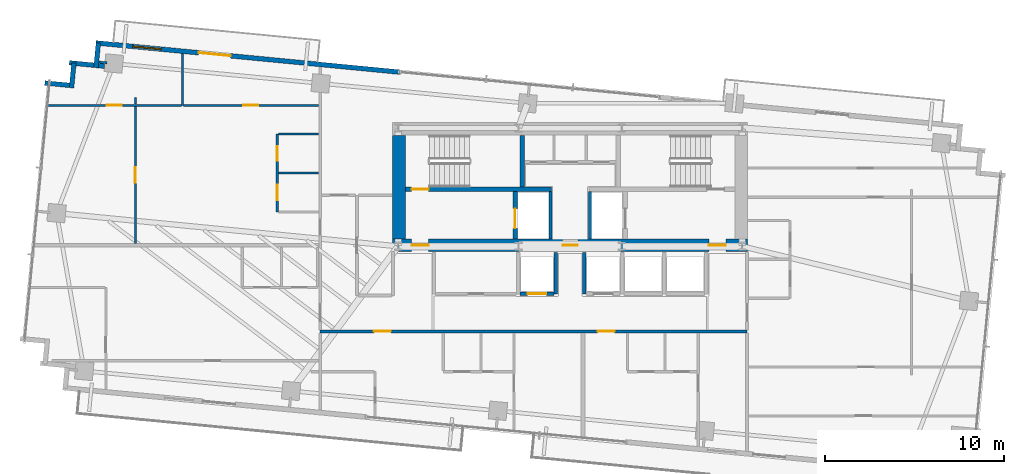
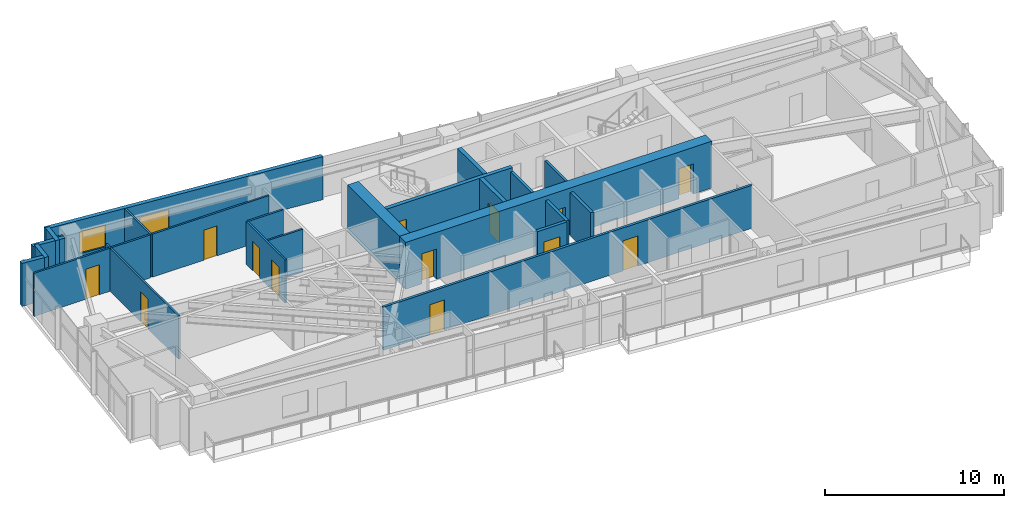
# One storey, part 16 of 20: 25 walls, 14 doors, 1 window, 15 openings.
"""IFC4 building model written with IfcOpenShell, lengths in metres."""

from ifc_helpers import new_model, si_unit, direction, frame, frame_2d, origin, place, context, subcontext, project, spatial, rectangle, extrude, source, transform, mapped, material, layer, layer_set, type_object, type_shapes, element, fill, save


model = new_model("IFC4")

# Units and contexts
model_context = context("Model", 3, precision=1e-05, world=origin(), true_north=direction((0.0, 1.0)))
body_context = subcontext(model_context, "Body", "Model", "MODEL_VIEW")
ifc_project = project(units=[si_unit("LENGTHUNIT", "METRE"), si_unit("AREAUNIT", "SQUARE_METRE"), si_unit("VOLUMEUNIT", "CUBIC_METRE"), si_unit("PLANEANGLEUNIT", "RADIAN"), si_unit("MASSUNIT", "GRAM", prefix="KILO")], contexts=[model_context])

# Site, building, storey
site_placement = place(None, origin())
site = spatial("IfcSite", under=ifc_project, at=site_placement, CompositionType="ELEMENT")
building_placement = place(site_placement, origin())
building = spatial("IfcBuilding", under=site, at=building_placement, Name="Astriad Promenade Condominiums", CompositionType="ELEMENT")
storey_placement = place(building_placement, frame((0.0, 0.0, 137.39990234375)))
storey = spatial("IfcBuildingStorey", under=building, at=storey_placement, Name="L39", CompositionType="ELEMENT", Elevation=137.39990234375)

# Wall, openings, doors
ifc_material_1 = material(Name="Concrete C60/75", Category="concrete")
ifc_layer_1 = layer(ifc_material_1, 0.699951171875)
ifc_layer_set_1 = layer_set([ifc_layer_1], Name="Concrete C60/75")
wall_type_1 = type_object("IfcWallType", Name="CW-SHEAR-700", PredefinedType="SHEAR", material=ifc_layer_set_1)
wall_1_placement = place(storey_placement, frame((26.10009765625, 17.449951171875, 0.0), z_axis=(0.0, 0.0, 1.0), x_axis=(1.0, 0.0, 0.0)))
wall_1 = element("IfcWall", 1, at=wall_1_placement, inside=storey, type_object=wall_type_1, Name="CW-CORE-S-L39", PredefinedType="SHEAR", context=body_context, shape_type="SweptSolid", body=[
    extrude(rectangle(XDim=19.7998046875, YDim=0.699951171875, at=frame_2d((9.89990234375, 0.0))), origin(), (0.0, 0.0, 1.0), 3.2001953125),
])
opening_1_placement = place(wall_1_placement, frame((1.050048828125, 0.0, 0.0)))
opening_1 = element("IfcOpeningElement", 2, at=opening_1_placement, cuts=wall_1, Name="Opening FD90-ST-095", PredefinedType="OPENING", context=body_context, shape_type="SweptSolid", body=[
    extrude(rectangle(XDim=0.949951171875, YDim=2.06005859375, at=frame_2d((0.47509765625, 1.030029296875))), frame((0.0, 0.35986328125, 0.0), z_axis=(0.0, -1.0, 0.0), x_axis=(1.0, 0.0, 0.0)), (0.0, 0.0, 1.0), 0.719970703125),
])
opening_2_placement = place(wall_1_placement, frame((9.47998046875, 0.0, 0.0)))
opening_2 = element("IfcOpeningElement", 3, at=opening_2_placement, cuts=wall_1, Name="Opening FD60-ULOW-085", PredefinedType="OPENING", context=body_context, shape_type="SweptSolid", body=[
    extrude(rectangle(XDim=0.85009765625, YDim=2.0, at=frame_2d((0.425048828125, 1.0))), frame((0.0, 0.35986328125, 0.0), z_axis=(0.0, -1.0, 0.0), x_axis=(1.0, 0.0, 0.0)), (0.0, 0.0, 1.0), 0.719970703125),
])
opening_3_placement = place(wall_1_placement, frame((17.64990234375, 0.0, 0.0)))
opening_3 = element("IfcOpeningElement", 4, at=opening_3_placement, cuts=wall_1, Name="Opening FD90-ST-095", PredefinedType="OPENING", context=body_context, shape_type="SweptSolid", body=[
    extrude(rectangle(XDim=0.949951171875, YDim=2.06005859375, at=frame_2d((0.47509765625, 1.030029296875))), frame((0.0, 0.35986328125, 0.0), z_axis=(0.0, -1.0, 0.0), x_axis=(1.0, 0.0, 0.0)), (0.0, 0.0, 1.0), 0.719970703125),
])
ifc_material_2 = material(Name="Fire-Rated Hollow Metal Stair Door")
door_type_1 = type_object("IfcDoorType", Name="FD90-ST-095", OperationType="NOTDEFINED", PredefinedType="DOOR", material=ifc_material_2)
shared_shape_1 = source(origin(), body_context, "Body", "SweptSolid", [
    extrude(rectangle(XDim=0.949951171875, YDim=2.06005859375, at=frame_2d((0.47509765625, 1.030029296875))), frame((0.0, 0.02490234375, 0.0), z_axis=(0.0, -1.0, 0.0), x_axis=(1.0, 0.0, 0.0)), (0.0, 0.0, 1.0), 0.050048828125),
])
type_shapes(door_type_1, [shared_shape_1])
door_1_placement = place(opening_1_placement, origin())
door_1 = element("IfcDoor", 5, at=door_1_placement, inside=storey, type_object=door_type_1, Name="D-FFW-L39", OperationType="SINGLE_SWING_LEFT", OverallHeight=2.06005859375, OverallWidth=0.949951171875, PredefinedType="DOOR", context=body_context, shape_type="MappedRepresentation", body=[
    mapped(shared_shape_1, transform((0.0, 0.0, 0.0), scale=1.0)),
])
fill(opening_1, door_1)
door_2_placement = place(opening_3_placement, origin())
door_2 = element("IfcDoor", 6, at=door_2_placement, inside=storey, type_object=door_type_1, Name="D-FFE-L39", OperationType="SINGLE_SWING_RIGHT", OverallHeight=2.06005859375, OverallWidth=0.949951171875, PredefinedType="DOOR", context=body_context, shape_type="MappedRepresentation", body=[
    mapped(shared_shape_1, transform((0.0, 0.0, 0.0), scale=1.0)),
])
fill(opening_3, door_2)
ifc_material_3 = material(Name="Solid-Core Low-Headroom Fire Door")
door_type_2 = type_object("IfcDoorType", Name="FD60-ULOW-085", OperationType="NOTDEFINED", PredefinedType="DOOR", material=ifc_material_3)
shared_shape_2 = source(origin(), body_context, "Body", "SweptSolid", [
    extrude(rectangle(XDim=0.85009765625, YDim=2.0, at=frame_2d((0.425048828125, 1.0))), frame((0.0, 0.02490234375, 0.0), z_axis=(0.0, -1.0, 0.0), x_axis=(1.0, 0.0, 0.0)), (0.0, 0.0, 1.0), 0.050048828125),
])
type_shapes(door_type_2, [shared_shape_2])
door_3_placement = place(opening_2_placement, origin())
door_3 = element("IfcDoor", 7, at=door_3_placement, inside=storey, type_object=door_type_2, Name="D-CSL-L39", OperationType="SINGLE_SWING_RIGHT", OverallHeight=2.0, OverallWidth=0.85009765625, PredefinedType="DOOR", context=body_context, shape_type="MappedRepresentation", body=[
    mapped(shared_shape_2, transform((0.0, 0.0, 0.0), scale=1.0)),
])
fill(opening_2, door_3)

# Wall
wall_2_placement = place(storey_placement, frame((26.449951171875, 17.802001953125, 0.0), z_axis=(0.0, 0.0, 1.0), x_axis=(0.0, 1.0, 0.0)))
element("IfcWall", 8, at=wall_2_placement, inside=storey, type_object=wall_type_1, Name="CW-CORE-W-L39", PredefinedType="SHEAR", context=body_context, shape_type="SweptSolid", body=[
    extrude(rectangle(XDim=5.7958984375, YDim=0.699951171875, at=frame_2d((2.89794921875, 0.0))), origin(), (0.0, 0.0, 1.0), 3.2001953125),
])

# Wall, opening, door
ifc_material_4 = material(Name="Concrete C50/60", Category="concrete")
ifc_layer_2 = layer(ifc_material_4, 0.25)
ifc_layer_set_2 = layer_set([ifc_layer_2], Name="Concrete C50/60")
wall_type_2 = type_object("IfcWallType", Name="WALL-CORE-INT-250", PredefinedType="SOLIDWALL", material=ifc_layer_set_2)
wall_3_placement = place(storey_placement, frame((26.802001953125, 20.574951171875, 0.0), z_axis=(0.0, 0.0, 1.0), x_axis=(1.0, 0.0, 0.0)))
wall_3 = element("IfcWall", 9, at=wall_3_placement, inside=storey, type_object=wall_type_2, Name="CW-INT-H1-L39", PredefinedType="SOLIDWALL", context=body_context, shape_type="SweptSolid", body=[
    extrude(rectangle(XDim=8.14794921875, YDim=0.25, at=frame_2d((4.073974609375, 0.0))), origin(), (0.0, 0.0, 1.0), 3.2001953125),
])
opening_4_placement = place(wall_3_placement, frame((0.347900390625, 0.0, 0.0)))
opening_4 = element("IfcOpeningElement", 10, at=opening_4_placement, cuts=wall_3, Name="Opening FD90-ST-095", PredefinedType="OPENING", context=body_context, shape_type="SweptSolid", body=[
    extrude(rectangle(XDim=0.949951171875, YDim=2.06005859375, at=frame_2d((0.47509765625, 1.030029296875))), frame((0.0, 0.135009765625, 0.0), z_axis=(0.0, -1.0, 0.0), x_axis=(1.0, 0.0, 0.0)), (0.0, 0.0, 1.0), 0.27001953125),
])
door_4_placement = place(opening_4_placement, origin())
door_4 = element("IfcDoor", 11, at=door_4_placement, inside=storey, type_object=door_type_1, Name="D-ST1-L39", OperationType="SINGLE_SWING_RIGHT", OverallHeight=2.06005859375, OverallWidth=0.949951171875, PredefinedType="DOOR", context=body_context, shape_type="MappedRepresentation", body=[
    mapped(shared_shape_1, transform((0.0, 0.0, 0.0), scale=1.0)),
])
fill(opening_4, door_4)

# Wall
wall_4_placement = place(storey_placement, frame((33.324951171875, 20.701904296875, 0.0), z_axis=(0.0, 0.0, 1.0), x_axis=(0.0, 1.0, 0.0)))
element("IfcWall", 12, at=wall_4_placement, inside=storey, type_object=wall_type_2, Name="CW-ST1-E-L39", PredefinedType="SOLIDWALL", context=body_context, shape_type="SweptSolid", body=[
    extrude(rectangle(XDim=2.89599609375, YDim=0.25, at=frame_2d((1.447998046875, 0.0))), origin(), (0.0, 0.0, 1.0), 3.2001953125),
])

# Wall, opening, door
wall_5_placement = place(storey_placement, frame((32.925048828125, 17.802001953125, 0.0), z_axis=(0.0, 0.0, 1.0), x_axis=(0.0, 1.0, 0.0)))
wall_5 = element("IfcWall", 13, at=wall_5_placement, inside=storey, type_object=wall_type_2, Name="CW-FFL1-W-L39", PredefinedType="SOLIDWALL", context=body_context, shape_type="SweptSolid", body=[
    extrude(rectangle(XDim=2.64599609375, YDim=0.25, at=frame_2d((1.322998046875, 0.0))), origin(), (0.0, 0.0, 1.0), 3.2001953125),
])
opening_5_placement = place(wall_5_placement, frame((0.597900390625, 0.0, 0.0)))
opening_5 = element("IfcOpeningElement", 14, at=opening_5_placement, cuts=wall_5, Name="Opening LD-FFL-1122", PredefinedType="OPENING", context=body_context, shape_type="SweptSolid", body=[
    extrude(rectangle(XDim=1.10009765625, YDim=2.080078125, at=frame_2d((0.550048828125, 1.0400390625))), frame((0.0, 0.135009765625, 0.0), z_axis=(0.0, -1.0, 0.0), x_axis=(1.0, 0.0, 0.0)), (0.0, 0.0, 1.0), 0.27001953125),
])
ifc_material_5 = material(Name="Brushed Stainless Steel Fire Elevator Landing Door", Category="steel")
door_type_3 = type_object("IfcDoorType", Name="LD-FFL-1122", OperationType="NOTDEFINED", PredefinedType="DOOR", material=ifc_material_5)
shared_shape_3 = source(origin(), body_context, "Body", "SweptSolid", [
    extrude(rectangle(XDim=1.10009765625, YDim=2.080078125, at=frame_2d((0.550048828125, 1.0400390625))), frame((0.0, 0.02490234375, 0.0), z_axis=(0.0, -1.0, 0.0), x_axis=(1.0, 0.0, 0.0)), (0.0, 0.0, 1.0), 0.050048828125),
])
type_shapes(door_type_3, [shared_shape_3])
door_5_placement = place(opening_5_placement, origin())
door_5 = element("IfcDoor", 15, at=door_5_placement, inside=storey, type_object=door_type_3, Name="Elevator Landing Door FFL-1 (L39)", OperationType="SLIDING_TO_LEFT", OverallHeight=2.080078125, OverallWidth=1.10009765625, PredefinedType="DOOR", context=body_context, shape_type="MappedRepresentation", body=[
    mapped(shared_shape_3, transform((0.0, 0.0, 0.0), scale=1.0)),
])
fill(opening_5, door_5)

# Walls
ifc_material_6 = material(Name="Fire-Rated Gypsum Partition")
ifc_layer_3 = layer(ifc_material_6, 0.159912109375)
ifc_layer_set_3 = layer_set([ifc_layer_3], Name="Fire-Rated Gypsum Partition")
wall_type_3 = type_object("IfcWallType", Name="WALL-CORR-160", PredefinedType="PARTITIONING", material=ifc_layer_set_3)
for number, where, z_axis, x_axis, name in (
    (16, (34.89990234375, 17.802001953125, 0.0), (0.0, 0.0, 1.0), (0.0, 1.0, 0.0), "CW-FFL1-E-L39"),
    (17, (37.10009765625, 17.802001953125, 0.0), (0.0, 0.0, 1.0), (0.0, 1.0, 0.0), "CW-FFL2-W-L39"),
):
    element("IfcWall", number, at=place(storey_placement, frame(where, z_axis=z_axis, x_axis=x_axis)), inside=storey, type_object=wall_type_3, Name=name, PredefinedType="PARTITIONING", context=body_context, shape_type="SweptSolid", body=[
        extrude(rectangle(XDim=2.64599609375, YDim=0.159912109375, at=frame_2d((1.322998046875, 0.0))), origin(), (0.0, 0.0, 1.0), 2.940185546875),
    ])

# Wall, openings, doors
wall_6_placement = place(storey_placement, frame((22.050048828125, 12.64990234375, 0.0), z_axis=(0.0, 0.0, 1.0), x_axis=(1.0, 0.0, 0.0)))
wall_6 = element("IfcWall", 18, at=wall_6_placement, inside=storey, type_object=wall_type_3, Name="PT-COR-S-L39", PredefinedType="PARTITIONING", context=body_context, shape_type="SweptSolid", body=[
    extrude(rectangle(XDim=23.829833984375, YDim=0.159912109375, at=frame_2d((11.9150390625, 0.0))), origin(), (0.0, 0.0, 1.0), 2.940185546875),
])
opening_6_placement = place(wall_6_placement, frame((3.0, 0.0, 0.0)))
opening_6 = element("IfcOpeningElement", 19, at=opening_6_placement, cuts=wall_6, Name="Opening FD60-APT-095", PredefinedType="OPENING", context=body_context, shape_type="SweptSolid", body=[
    extrude(rectangle(XDim=0.949951171875, YDim=2.06005859375, at=frame_2d((0.47509765625, 1.030029296875))), frame((0.0, 0.08984375, 0.0), z_axis=(0.0, -1.0, 0.0), x_axis=(1.0, 0.0, 0.0)), (0.0, 0.0, 1.0), 0.179931640625),
])
opening_7_placement = place(wall_6_placement, frame((15.485107421875, 0.0, 0.0)))
opening_7 = element("IfcOpeningElement", 20, at=opening_7_placement, cuts=wall_6, Name="Opening FD60-APT-095", PredefinedType="OPENING", context=body_context, shape_type="SweptSolid", body=[
    extrude(rectangle(XDim=0.949951171875, YDim=2.06005859375, at=frame_2d((0.47509765625, 1.030029296875))), frame((0.0, 0.08984375, 0.0), z_axis=(0.0, -1.0, 0.0), x_axis=(1.0, 0.0, 0.0)), (0.0, 0.0, 1.0), 0.179931640625),
])
ifc_material_7 = material(Name="Solid-Core Acoustic Timber Residence Entry Door", Category="wood")
door_type_4 = type_object("IfcDoorType", Name="FD60-APT-095", OperationType="NOTDEFINED", PredefinedType="DOOR", material=ifc_material_7)
shared_shape_4 = source(origin(), body_context, "Body", "SweptSolid", [
    extrude(rectangle(XDim=0.949951171875, YDim=2.06005859375, at=frame_2d((0.47509765625, 1.030029296875))), frame((0.0, 0.02490234375, 0.0), z_axis=(0.0, -1.0, 0.0), x_axis=(1.0, 0.0, 0.0)), (0.0, 0.0, 1.0), 0.050048828125),
])
type_shapes(door_type_4, [shared_shape_4])
door_6_placement = place(opening_6_placement, origin())
door_6 = element("IfcDoor", 21, at=door_6_placement, inside=storey, type_object=door_type_4, Name="D-ENT-L39-S1", OperationType="SINGLE_SWING_LEFT", OverallHeight=2.06005859375, OverallWidth=0.949951171875, PredefinedType="DOOR", context=body_context, shape_type="MappedRepresentation", body=[
    mapped(shared_shape_4, transform((0.0, 0.0, 0.0), scale=1.0)),
])
fill(opening_6, door_6)
door_7_placement = place(opening_7_placement, origin())
door_7 = element("IfcDoor", 22, at=door_7_placement, inside=storey, type_object=door_type_4, Name="D-ENT-L39-S2", OperationType="SINGLE_SWING_LEFT", OverallHeight=2.06005859375, OverallWidth=0.949951171875, PredefinedType="DOOR", context=body_context, shape_type="MappedRepresentation", body=[
    mapped(shared_shape_4, transform((0.0, 0.0, 0.0), scale=1.0)),
])
fill(opening_7, door_7)

# Walls
ifc_material_8 = material(Name="Precast concrete C50/60", Category="concrete")
ifc_layer_4 = layer(ifc_material_8, 0.260009765625)
ifc_layer_set_4 = layer_set([ifc_layer_4], Name="Precast concrete C50/60")
wall_type_4 = type_object("IfcWallType", Name="WALL-EXT-TWR-260", PredefinedType="STANDARD", material=ifc_layer_set_4)
wall_7_placement = place(storey_placement, frame((6.68115234375, 26.518310546875, 0.0), z_axis=(0.0, 0.0, 1.0), x_axis=(0.995389446633, -0.095915846097, 0.0)))
element("IfcWall", 23, at=wall_7_placement, inside=storey, type_object=wall_type_4, Name="W-SER-L39-04", PredefinedType="STANDARD", context=body_context, shape_type="SweptSolid", body=[
    extrude(rectangle(XDim=1.394775390625, YDim=0.260009765625, at=frame_2d((0.697265625, 0.0))), origin(), (0.0, 0.0, 1.0), 2.940185546875),
])
wall_8_placement = place(storey_placement, frame((8.171875, 26.243896484375, 0.0), z_axis=(0.0, 0.0, 1.0), x_axis=(0.095725744959, 0.99540774648, 0.0)))
element("IfcWall", 24, at=wall_8_placement, inside=storey, type_object=wall_type_4, Name="W-SER-L39-05", PredefinedType="STANDARD", context=body_context, shape_type="SweptSolid", body=[
    extrude(rectangle(XDim=1.39501953125, YDim=0.260009765625, at=frame_2d((0.697509765625, 0.0))), origin(), (0.0, 0.0, 1.0), 2.940185546875),
])
wall_9_placement = place(storey_placement, frame((8.045166015625, 27.642578125, 0.0), z_axis=(0.0, 0.0, 1.0), x_axis=(0.995391147587, -0.095898192396, 0.0)))
element("IfcWall", 25, at=wall_9_placement, inside=storey, type_object=wall_type_4, Name="W-SER-L39-06", PredefinedType="STANDARD", context=body_context, shape_type="SweptSolid", body=[
    extrude(rectangle(XDim=1.97802734375, YDim=0.260009765625, at=frame_2d((0.989013671875, 0.0))), origin(), (0.0, 0.0, 1.0), 2.940185546875),
])
wall_10_placement = place(storey_placement, frame((9.535888671875, 27.368408203125, 0.0), z_axis=(0.0, 0.0, 1.0), x_axis=(0.095915846097, 0.995389446633, 0.0)))
element("IfcWall", 26, at=wall_10_placement, inside=storey, type_object=wall_type_4, Name="W-SER-L39-07", PredefinedType="STANDARD", context=body_context, shape_type="SweptSolid", body=[
    extrude(rectangle(XDim=1.394775390625, YDim=0.260009765625, at=frame_2d((0.697265625, 0.0))), origin(), (0.0, 0.0, 1.0), 2.940185546875),
])

# Wall, openings, door, window
wall_11_placement = place(storey_placement, frame((9.538818359375, 28.75439453125, 0.0), z_axis=(0.0, 0.0, 1.0), x_axis=(0.995397345886, -0.09583383433, 0.0)))
wall_11 = element("IfcWall", 27, at=wall_11_placement, inside=storey, type_object=wall_type_4, Name="W-EXT-L39-N1", PredefinedType="STANDARD", context=body_context, shape_type="SweptSolid", body=[
    extrude(rectangle(XDim=17.010009765625, YDim=0.260009765625, at=frame_2d((8.5048828125, 0.0))), origin(), (0.0, 0.0, 1.0), 2.940185546875),
])
opening_8_placement = place(wall_11_placement, frame((5.759033203125, 0.0, 0.0)))
opening_8 = element("IfcOpeningElement", 28, at=opening_8_placement, cuts=wall_11, Name="Opening BD-1822-SLD", PredefinedType="OPENING", context=body_context, shape_type="SweptSolid", body=[
    extrude(rectangle(XDim=1.800048828125, YDim=2.06005859375, at=frame_2d((0.89990234375, 1.030029296875))), frame((0.0, 0.139892578125, 0.0), z_axis=(0.0, -1.0, 0.0), x_axis=(1.0, 0.0, 0.0)), (0.0, 0.0, 1.0), 0.280029296875),
])
opening_9_placement = place(wall_11_placement, frame((2.050048828125, 0.0, 0.64990234375)))
opening_9 = element("IfcOpeningElement", 29, at=opening_9_placement, cuts=wall_11, Name="Opening WIN-TWR-1620", PredefinedType="OPENING", context=body_context, shape_type="SweptSolid", body=[
    extrude(rectangle(XDim=1.60009765625, YDim=1.5, at=frame_2d((0.800048828125, 0.75))), frame((0.0, 0.139892578125, 0.0), z_axis=(0.0, -1.0, 0.0), x_axis=(1.0, 0.0, 0.0)), (0.0, 0.0, 1.0), 0.280029296875),
])
ifc_material_9 = material(Name="Thermally Broken Aluminium Sliding Balcony Door", Category="aluminium")
door_type_5 = type_object("IfcDoorType", Name="BD-1822-SLD", OperationType="NOTDEFINED", PredefinedType="DOOR", material=ifc_material_9)
shared_shape_5 = source(origin(), body_context, "Body", "SweptSolid", [
    extrude(rectangle(XDim=1.800048828125, YDim=2.06005859375, at=frame_2d((0.89990234375, 1.030029296875))), frame((0.0, 0.02490234375, 0.0), z_axis=(0.0, -1.0, 0.0), x_axis=(1.0, 0.0, 0.0)), (0.0, 0.0, 1.0), 0.050048828125),
])
type_shapes(door_type_5, [shared_shape_5])
door_8_placement = place(opening_8_placement, origin())
door_8 = element("IfcDoor", 30, at=door_8_placement, inside=storey, type_object=door_type_5, Name="BD-L39-NW", OperationType="SLIDING_TO_LEFT", OverallHeight=2.06005859375, OverallWidth=1.800048828125, PredefinedType="DOOR", context=body_context, shape_type="MappedRepresentation", body=[
    mapped(shared_shape_5, transform((0.0, 0.0, 0.0), scale=1.0)),
])
fill(opening_8, door_8)
ifc_material_10 = material(Name="Dark Tinted Triple-Glazed Aluminium Window", Category="aluminium")
window_type = type_object("IfcWindowType", Name="WIN-TWR-1620", PartitioningType="SINGLE_PANEL", PredefinedType="WINDOW", material=ifc_material_10)
shared_shape_6 = source(origin(), body_context, "Body", "SweptSolid", [
    extrude(rectangle(XDim=1.60009765625, YDim=1.5, at=frame_2d((0.800048828125, 0.75))), frame((0.0, 0.030029296875, 0.0), z_axis=(0.0, -1.0, 0.0), x_axis=(1.0, 0.0, 0.0)), (0.0, 0.0, 1.0), 0.06005859375),
])
type_shapes(window_type, [shared_shape_6])
window_placement = place(opening_9_placement, origin())
window = element("IfcWindow", 31, at=window_placement, inside=storey, type_object=window_type, Name="WIN-L39-NW", OverallHeight=1.5, OverallWidth=1.60009765625, PartitioningType="SINGLE_PANEL", PredefinedType="WINDOW", context=body_context, shape_type="MappedRepresentation", body=[
    mapped(shared_shape_6, transform((0.0, 0.0, 0.0), scale=1.0)),
])
fill(opening_9, window)

# Wall, openings, doors
ifc_material_11 = material(Name="Acoustic Metal-Stud Gypsum Partition")
ifc_layer_5 = layer(ifc_material_11, 0.1201171875)
ifc_layer_set_5 = layer_set([ifc_layer_5], Name="Acoustic Metal-Stud Gypsum Partition")
wall_type_5 = type_object("IfcWallType", Name="WALL-PART-120", PredefinedType="PARTITIONING", material=ifc_layer_set_5)
wall_12_placement = place(storey_placement, frame((19.64990234375, 19.320068359375, 0.0), z_axis=(0.0, 0.0, 1.0), x_axis=(0.0, 1.0, 0.0)))
wall_12 = element("IfcWall", 32, at=wall_12_placement, inside=storey, type_object=wall_type_5, Name="PT-L39-W2-PV", PredefinedType="PARTITIONING", context=body_context, shape_type="SweptSolid", body=[
    extrude(rectangle(XDim=4.349853515625, YDim=0.1201171875, at=frame_2d((2.1748046875, 0.0))), origin(), (0.0, 0.0, 1.0), 2.940185546875),
])
opening_10_placement = place(wall_12_placement, frame((0.662109375, 0.0, 0.0)))
opening_10 = element("IfcOpeningElement", 33, at=opening_10_placement, cuts=wall_12, Name="Opening D-INT-085", PredefinedType="OPENING", context=body_context, shape_type="SweptSolid", body=[
    extrude(rectangle(XDim=0.85009765625, YDim=2.050048828125, at=frame_2d((0.425048828125, 1.02490234375))), frame((0.0, 0.070068359375, 0.0), z_axis=(0.0, -1.0, 0.0), x_axis=(1.0, 0.0, 0.0)), (0.0, 0.0, 1.0), 0.14013671875),
])
opening_11_placement = place(wall_12_placement, frame((2.863037109375, 0.0, 0.0)))
opening_11 = element("IfcOpeningElement", 34, at=opening_11_placement, cuts=wall_12, Name="Opening D-WET-080", PredefinedType="OPENING", context=body_context, shape_type="SweptSolid", body=[
    extrude(rectangle(XDim=0.800048828125, YDim=2.02001953125, at=frame_2d((0.39990234375, 1.010009765625))), frame((0.0, 0.070068359375, 0.0), z_axis=(0.0, -1.0, 0.0), x_axis=(1.0, 0.0, 0.0)), (0.0, 0.0, 1.0), 0.14013671875),
])
ifc_material_12 = material(Name="Moisture-Resistant Timber Bathroom Door", Category="wood")
door_type_6 = type_object("IfcDoorType", Name="D-WET-080", OperationType="NOTDEFINED", PredefinedType="DOOR", material=ifc_material_12)
shared_shape_7 = source(origin(), body_context, "Body", "SweptSolid", [
    extrude(rectangle(XDim=0.800048828125, YDim=2.02001953125, at=frame_2d((0.39990234375, 1.010009765625))), frame((0.0, 0.02490234375, 0.0), z_axis=(0.0, -1.0, 0.0), x_axis=(1.0, 0.0, 0.0)), (0.0, 0.0, 1.0), 0.050048828125),
])
type_shapes(door_type_6, [shared_shape_7])
door_9_placement = place(opening_11_placement, origin())
door_9 = element("IfcDoor", 35, at=door_9_placement, inside=storey, type_object=door_type_6, Name="D-BTH-L39-W2", OperationType="SINGLE_SWING_RIGHT", OverallHeight=2.02001953125, OverallWidth=0.800048828125, PredefinedType="DOOR", context=body_context, shape_type="MappedRepresentation", body=[
    mapped(shared_shape_7, transform((0.0, 0.0, 0.0), scale=1.0)),
])
fill(opening_11, door_9)
ifc_material_13 = material(Name="Painted Solid-Core Timber Room Door", Category="wood")
door_type_7 = type_object("IfcDoorType", Name="D-INT-085", OperationType="NOTDEFINED", PredefinedType="DOOR", material=ifc_material_13)
shared_shape_8 = source(origin(), body_context, "Body", "SweptSolid", [
    extrude(rectangle(XDim=0.85009765625, YDim=2.050048828125, at=frame_2d((0.425048828125, 1.02490234375))), frame((0.0, 0.02490234375, 0.0), z_axis=(0.0, -1.0, 0.0), x_axis=(1.0, 0.0, 0.0)), (0.0, 0.0, 1.0), 0.050048828125),
])
type_shapes(door_type_7, [shared_shape_8])
door_10_placement = place(opening_10_placement, origin())
door_10 = element("IfcDoor", 36, at=door_10_placement, inside=storey, type_object=door_type_7, Name="D-KIT-L39-W2", OperationType="SINGLE_SWING_LEFT", OverallHeight=2.050048828125, OverallWidth=0.85009765625, PredefinedType="DOOR", context=body_context, shape_type="MappedRepresentation", body=[
    mapped(shared_shape_8, transform((0.0, 0.0, 0.0), scale=1.0)),
])
fill(opening_10, door_10)

# Walls
for number, where, z_axis, x_axis, name in (
    (37, (19.7119140625, 21.4951171875, 0.0), (0.0, 0.0, 1.0), (1.0, 0.0, 0.0), "PT-L39-W2-PM"),
    (38, (19.7119140625, 23.669921875, 0.0), (0.0, 0.0, 1.0), (1.0, 0.0, 0.0), "PT-L39-W2-PN"),
):
    element("IfcWall", number, at=place(storey_placement, frame(where, z_axis=z_axis, x_axis=x_axis)), inside=storey, type_object=wall_type_5, Name=name, PredefinedType="PARTITIONING", context=body_context, shape_type="SweptSolid", body=[
        extrude(rectangle(XDim=2.256103515625, YDim=0.1201171875, at=frame_2d((1.1279296875, 0.0))), origin(), (0.0, 0.0, 1.0), 2.940185546875),
    ])
wall_13_placement = place(storey_placement, frame((14.364013671875, 25.26806640625, 0.0), z_axis=(0.0, 0.0, 1.0), x_axis=(0.0, 1.0, 0.0)))
element("IfcWall", 39, at=wall_13_placement, inside=storey, type_object=wall_type_5, Name="PT-L39-W2-B1M", PredefinedType="PARTITIONING", context=body_context, shape_type="SweptSolid", body=[
    extrude(rectangle(XDim=2.88916015625, YDim=0.1201171875, at=frame_2d((1.444580078125, 0.0))), origin(), (0.0, 0.0, 1.0), 2.940185546875),
])

# Wall, opening, door
wall_14_placement = place(storey_placement, frame((6.771728515625, 25.26806640625, 0.0), z_axis=(0.0, 0.0, 1.0), x_axis=(1.0, 0.0, 0.0)))
wall_14 = element("IfcWall", 40, at=wall_14_placement, inside=storey, type_object=wall_type_5, Name="PT-L39-W2-B1", PredefinedType="PARTITIONING", context=body_context, shape_type="SweptSolid", body=[
    extrude(rectangle(XDim=7.5302734375, YDim=0.1201171875, at=frame_2d((3.76513671875, 0.0))), origin(), (0.0, 0.0, 1.0), 2.940185546875),
])
opening_12_placement = place(wall_14_placement, frame((3.3642578125, 0.0, 0.0)))
opening_12 = element("IfcOpeningElement", 41, at=opening_12_placement, cuts=wall_14, Name="Opening D-INT-085", PredefinedType="OPENING", context=body_context, shape_type="SweptSolid", body=[
    extrude(rectangle(XDim=0.85009765625, YDim=2.050048828125, at=frame_2d((0.425048828125, 1.02490234375))), frame((0.0, 0.070068359375, 0.0), z_axis=(0.0, -1.0, 0.0), x_axis=(1.0, 0.0, 0.0)), (0.0, 0.0, 1.0), 0.14013671875),
])
door_11_placement = place(opening_12_placement, origin())
door_11 = element("IfcDoor", 42, at=door_11_placement, inside=storey, type_object=door_type_7, Name="D-BD1-L39-W2", OperationType="SINGLE_SWING_LEFT", OverallHeight=2.050048828125, OverallWidth=0.85009765625, PredefinedType="DOOR", context=body_context, shape_type="MappedRepresentation", body=[
    mapped(shared_shape_8, transform((0.0, 0.0, 0.0), scale=1.0)),
])
fill(opening_12, door_11)

wall_15_placement = place(storey_placement, frame((14.426025390625, 25.26806640625, 0.0), z_axis=(0.0, 0.0, 1.0), x_axis=(1.0, 0.0, 0.0)))
wall_15 = element("IfcWall", 43, at=wall_15_placement, inside=storey, type_object=wall_type_5, Name="PT-L39-W2-B1-S2", PredefinedType="PARTITIONING", context=body_context, shape_type="SweptSolid", body=[
    extrude(rectangle(XDim=7.5419921875, YDim=0.1201171875, at=frame_2d((3.77099609375, 0.0))), origin(), (0.0, 0.0, 1.0), 2.940185546875),
])
opening_13_placement = place(wall_15_placement, frame((3.31591796875, 0.0, 0.0)))
opening_13 = element("IfcOpeningElement", 44, at=opening_13_placement, cuts=wall_15, Name="Opening D-INT-085", PredefinedType="OPENING", context=body_context, shape_type="SweptSolid", body=[
    extrude(rectangle(XDim=0.85009765625, YDim=2.050048828125, at=frame_2d((0.425048828125, 1.02490234375))), frame((0.0, 0.070068359375, 0.0), z_axis=(0.0, -1.0, 0.0), x_axis=(1.0, 0.0, 0.0)), (0.0, 0.0, 1.0), 0.14013671875),
])
door_12_placement = place(opening_13_placement, origin())
door_12 = element("IfcDoor", 45, at=door_12_placement, inside=storey, type_object=door_type_7, Name="D-BD1B-L39-W2", OperationType="SINGLE_SWING_RIGHT", OverallHeight=2.050048828125, OverallWidth=0.85009765625, PredefinedType="DOOR", context=body_context, shape_type="MappedRepresentation", body=[
    mapped(shared_shape_8, transform((0.0, 0.0, 0.0), scale=1.0)),
])
fill(opening_13, door_12)

wall_16_placement = place(storey_placement, frame((11.738037109375, 17.552001953125, 0.0), z_axis=(0.0, 0.0, 1.0), x_axis=(0.0, 1.0, 0.0)))
wall_16 = element("IfcWall", 46, at=wall_16_placement, inside=storey, type_object=wall_type_5, Name="PT-L39-W2-WDV1", PredefinedType="PARTITIONING", context=body_context, shape_type="SweptSolid", body=[
    extrude(rectangle(XDim=7.654052734375, YDim=0.1201171875, at=frame_2d((3.8271484375, 0.0))), origin(), (0.0, 0.0, 1.0), 2.940185546875),
])
opening_14_placement = place(wall_16_placement, frame((3.402099609375, 0.0, 0.0)))
opening_14 = element("IfcOpeningElement", 47, at=opening_14_placement, cuts=wall_16, Name="Opening D-INT-085", PredefinedType="OPENING", context=body_context, shape_type="SweptSolid", body=[
    extrude(rectangle(XDim=0.85009765625, YDim=2.050048828125, at=frame_2d((0.425048828125, 1.02490234375))), frame((0.0, 0.070068359375, 0.0), z_axis=(0.0, -1.0, 0.0), x_axis=(1.0, 0.0, 0.0)), (0.0, 0.0, 1.0), 0.14013671875),
])
door_13_placement = place(opening_14_placement, origin())
door_13 = element("IfcDoor", 48, at=door_13_placement, inside=storey, type_object=door_type_7, Name="D-WDV1-L39-W2", OperationType="SINGLE_SWING_LEFT", OverallHeight=2.050048828125, OverallWidth=0.85009765625, PredefinedType="DOOR", context=body_context, shape_type="MappedRepresentation", body=[
    mapped(shared_shape_8, transform((0.0, 0.0, 0.0), scale=1.0)),
])
fill(opening_14, door_13)

# Walls
wall_17_placement = place(storey_placement, frame((11.738037109375, 25.330078125, 0.0), z_axis=(0.0, 0.0, 1.0), x_axis=(0.0, 1.0, 0.0)))
element("IfcWall", 49, at=wall_17_placement, inside=storey, type_object=wall_type_5, Name="PT-L39-W2-WDV1-S2", PredefinedType="PARTITIONING", context=body_context, shape_type="SweptSolid", body=[
    extrude(rectangle(XDim=0.3779296875, YDim=0.1201171875, at=frame_2d((0.18896484375, 0.0))), origin(), (0.0, 0.0, 1.0), 2.940185546875),
])
wall_18_placement = place(storey_placement, frame((10.15478515625, 27.640380859375, 0.0), z_axis=(0.0, 0.0, 1.0), x_axis=(-0.995435366701, 0.095438098896, 0.0)))
element("IfcWall", 50, at=wall_18_placement, inside=storey, type_object=wall_type_5, Name="PT-PIL-L39-PC06-13", PredefinedType="PARTITIONING", context=body_context, shape_type="SweptSolid", body=[
    extrude(rectangle(XDim=0.4580078125, YDim=0.1201171875, at=frame_2d((0.22900390625, 0.0))), origin(), (0.0, 0.0, 1.0), 2.940185546875),
])
ifc_material_14 = material(Name="Gypsum Shaftliner Assembly")
ifc_layer_6 = layer(ifc_material_14, 0.199951171875)
ifc_layer_set_6 = layer_set([ifc_layer_6], Name="Gypsum Shaftliner Assembly")
wall_type_6 = type_object("IfcWallType", Name="WALL-SHAFT-200", PredefinedType="PARTITIONING", material=ifc_layer_set_6)
wall_19_placement = place(storey_placement, frame((35.199951171875, 14.75, 0.0), z_axis=(0.0, 0.0, 1.0), x_axis=(0.0, 1.0, 0.0)))
element("IfcWall", 51, at=wall_19_placement, inside=storey, type_object=wall_type_6, Name="PL-M1-E-L39", PredefinedType="PARTITIONING", context=body_context, shape_type="SweptSolid", body=[
    extrude(rectangle(XDim=2.300048828125, YDim=0.199951171875, at=frame_2d((1.14990234375, 0.0))), origin(), (0.0, 0.0, 1.0), 2.940185546875),
])

# Wall, opening, door
wall_20_placement = place(storey_placement, frame((33.201904296875, 14.75, 0.0), z_axis=(0.0, 0.0, 1.0), x_axis=(1.0, 0.0, 0.0)))
wall_20 = element("IfcWall", 52, at=wall_20_placement, inside=storey, type_object=wall_type_6, Name="PL-M1-F-L39", PredefinedType="PARTITIONING", context=body_context, shape_type="SweptSolid", body=[
    extrude(rectangle(XDim=1.89599609375, YDim=0.199951171875, at=frame_2d((0.947998046875, 0.0))), origin(), (0.0, 0.0, 1.0), 2.940185546875),
])
opening_15_placement = place(wall_20_placement, frame((0.423095703125, 0.0, 0.0)))
opening_15 = element("IfcOpeningElement", 53, at=opening_15_placement, cuts=wall_20, Name="Opening LD-PL-10522", PredefinedType="OPENING", context=body_context, shape_type="SweptSolid", body=[
    extrude(rectangle(XDim=1.050048828125, YDim=2.080078125, at=frame_2d((0.52490234375, 1.0400390625))), frame((0.0, 0.10986328125, 0.0), z_axis=(0.0, -1.0, 0.0), x_axis=(1.0, 0.0, 0.0)), (0.0, 0.0, 1.0), 0.219970703125),
])
ifc_material_15 = material(Name="Brushed Bronze Passenger Elevator Landing Door")
door_type_8 = type_object("IfcDoorType", Name="LD-PL-10522", OperationType="NOTDEFINED", PredefinedType="DOOR", material=ifc_material_15)
shared_shape_9 = source(origin(), body_context, "Body", "SweptSolid", [
    extrude(rectangle(XDim=1.050048828125, YDim=2.080078125, at=frame_2d((0.52490234375, 1.0400390625))), frame((0.0, 0.02490234375, 0.0), z_axis=(0.0, -1.0, 0.0), x_axis=(1.0, 0.0, 0.0)), (0.0, 0.0, 1.0), 0.050048828125),
])
type_shapes(door_type_8, [shared_shape_9])
door_14_placement = place(opening_15_placement, origin())
door_14 = element("IfcDoor", 54, at=door_14_placement, inside=storey, type_object=door_type_8, Name="Elevator Landing Door PL-M1 (L39)", OperationType="SLIDING_TO_LEFT", OverallHeight=2.080078125, OverallWidth=1.050048828125, PredefinedType="DOOR", context=body_context, shape_type="MappedRepresentation", body=[
    mapped(shared_shape_9, transform((0.0, 0.0, 0.0), scale=1.0)),
])
fill(opening_15, door_14)

# Wall
wall_21_placement = place(storey_placement, frame((36.800048828125, 14.75, 0.0), z_axis=(0.0, 0.0, 1.0), x_axis=(0.0, 1.0, 0.0)))
element("IfcWall", 55, at=wall_21_placement, inside=storey, type_object=wall_type_6, Name="PL-M2-W-L39", PredefinedType="PARTITIONING", context=body_context, shape_type="SweptSolid", body=[
    extrude(rectangle(XDim=2.300048828125, YDim=0.199951171875, at=frame_2d((1.14990234375, 0.0))), origin(), (0.0, 0.0, 1.0), 2.940185546875),
])

save(model, "model.ifc")
